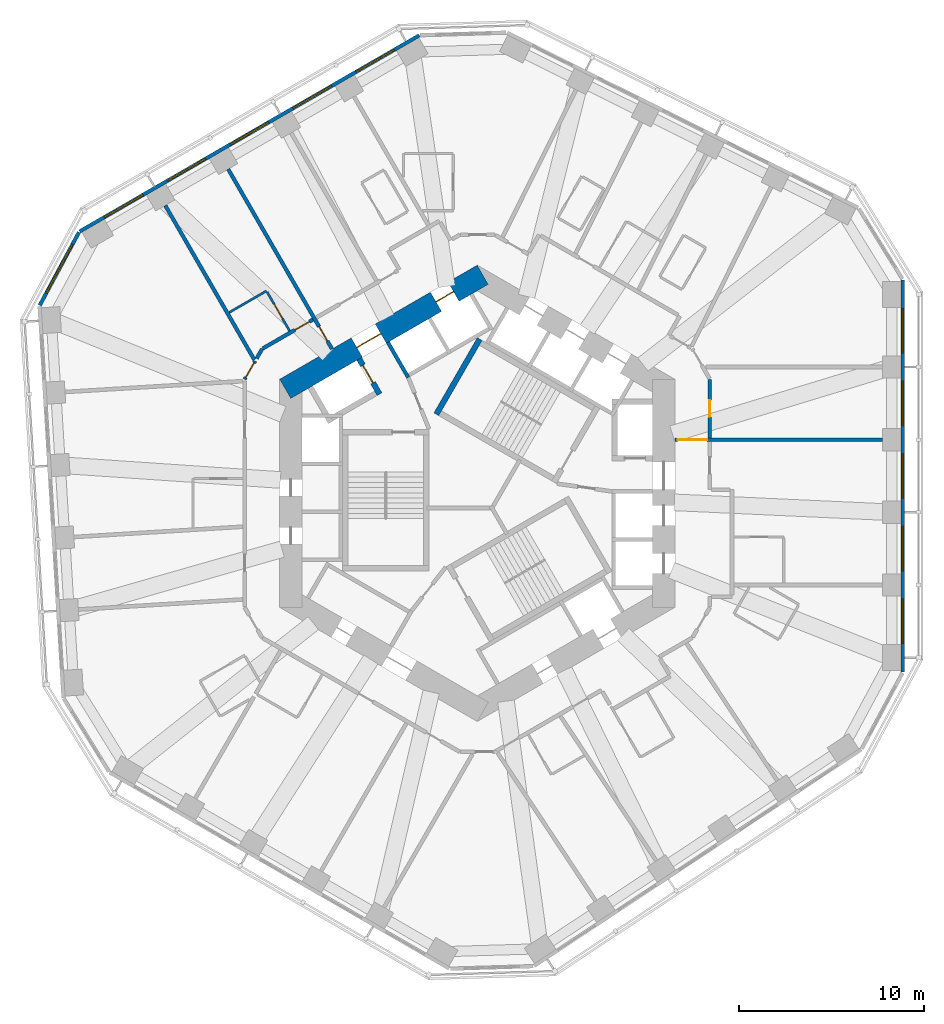
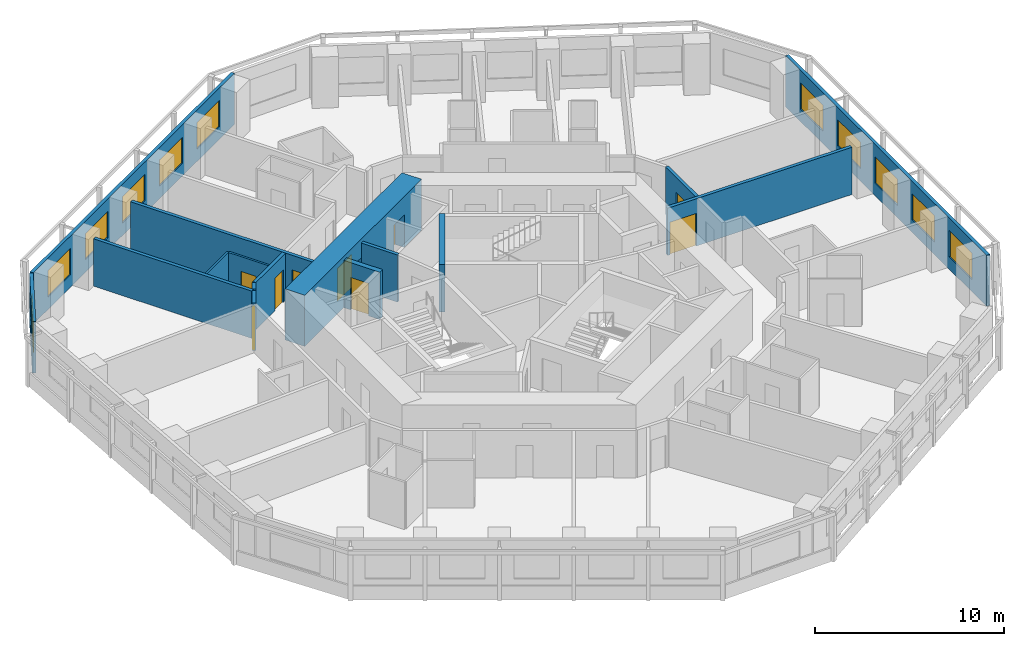
# One storey, part 7 of 12: 16 walls, 11 windows, 9 doors, 20 openings.
"""IFC4 building model written with IfcOpenShell, lengths in metres."""

from ifc_helpers import new_model, si_unit, direction, frame, frame_2d, origin, place, context, subcontext, project, spatial, rectangle, extrude, material, layer, layer_set, type_object, element, fill, save


model = new_model("IFC4")

# Units and contexts
model_context = context("Model", 3, precision=1e-05, world=origin(), true_north=direction((0.0, 1.0)))
body_context = subcontext(model_context, "Body", "Model", "MODEL_VIEW")
ifc_project = project(units=[si_unit("LENGTHUNIT", "METRE"), si_unit("AREAUNIT", "SQUARE_METRE"), si_unit("VOLUMEUNIT", "CUBIC_METRE"), si_unit("PLANEANGLEUNIT", "RADIAN"), si_unit("MASSUNIT", "GRAM", prefix="KILO")], contexts=[model_context])

# Site, building, storey
site_placement = place(None, origin())
site = spatial("IfcSite", under=ifc_project, at=site_placement, CompositionType="ELEMENT")
building_placement = place(site_placement, origin())
building = spatial("IfcBuilding", under=site, at=building_placement, Name="Vanh Sen Convention Tower", CompositionType="ELEMENT")
storey_placement = place(building_placement, frame((0.0, 0.0, 70.39990234375)))
storey = spatial("IfcBuildingStorey", under=building, at=storey_placement, Name="L15", CompositionType="ELEMENT", Elevation=70.39990234375)

# Wall
ifc_material_1 = material(Name="Moisture-resistant gypsum board on steel studs", Category="steel")
ifc_layer_1 = layer(ifc_material_1, 0.1201171875)
ifc_layer_set_1 = layer_set([ifc_layer_1], Name="Moisture-resistant gypsum board on steel studs")
wall_type_1 = type_object("IfcWallType", Name="Bathroom partition 120", PredefinedType="PARTITIONING", material=ifc_layer_set_1)
wall_1_placement = place(storey_placement, frame((-13.436279296875, 9.7939453125, 0.0), z_axis=(0.0, 0.0, 1.0), x_axis=(0.866053246676, 0.499951771596, 0.0)))
element("IfcWall", 1, at=wall_1_placement, inside=storey, type_object=wall_type_1, Name="Bathroom partition 120", PredefinedType="PARTITIONING", context=body_context, shape_type="SweptSolid", body=[
    extrude(rectangle(XDim=2.334716796875, YDim=0.1201171875, at=frame_2d((1.16748046875, 0.0))), origin(), (0.0, 0.0, 1.0), 3.050048828125),
])

# Wall, opening, door
wall_2_placement = place(storey_placement, frame((-11.384521484375, 10.9091796875, 0.0), z_axis=(0.0, 0.0, 1.0), x_axis=(0.500077547548, -0.865980627057, 0.0)))
wall_2 = element("IfcWall", 2, at=wall_2_placement, inside=storey, type_object=wall_type_1, Name="Bathroom partition 120", PredefinedType="PARTITIONING", context=body_context, shape_type="SweptSolid", body=[
    extrude(rectangle(XDim=2.43994140625, YDim=0.1201171875, at=frame_2d((1.219970703125, 0.0))), origin(), (0.0, 0.0, 1.0), 3.050048828125),
])
opening_1_placement = place(wall_2_placement, frame((0.77001953125, 0.0, 0.0)))
opening_1 = element("IfcOpeningElement", 3, at=opening_1_placement, cuts=wall_2, Name="Opening D13117", PredefinedType="OPENING", context=body_context, shape_type="SweptSolid", body=[
    extrude(rectangle(XDim=0.89990234375, YDim=2.10009765625, at=frame_2d((0.449951171875, 1.050048828125))), frame((0.0, 0.070068359375, 0.0), z_axis=(0.0, -1.0, 0.0), x_axis=(1.0, 0.0, 0.0)), (0.0, 0.0, 1.0), 0.14013671875),
])
ifc_material_2 = material(Name="Laminate door in steel frame", Category="steel")
door_type_1 = type_object("IfcDoorType", Name="En-suite door 900", OperationType="SINGLE_SWING_LEFT", PredefinedType="DOOR", material=ifc_material_2)
door_1_placement = place(opening_1_placement, origin())
door_1 = element("IfcDoor", 4, at=door_1_placement, inside=storey, type_object=door_type_1, Name="En-suite door D13117", OperationType="SINGLE_SWING_LEFT", OverallHeight=2.10009765625, OverallWidth=0.89990234375, PredefinedType="DOOR", context=body_context, shape_type="SweptSolid", body=[
    extrude(rectangle(XDim=0.89990234375, YDim=2.10009765625, at=frame_2d((0.449951171875, 1.050048828125))), frame((0.0, 0.02490234375, 0.0), z_axis=(0.0, -1.0, 0.0), x_axis=(1.0, 0.0, 0.0)), (0.0, 0.0, 1.0), 0.050048828125),
])
fill(opening_1, door_1)

# Wall, openings, doors
ifc_material_3 = material(Name="Concrete C80/95", Category="concrete")
ifc_layer_2 = layer(ifc_material_3, 1.199951171875)
ifc_layer_set_2 = layer_set([ifc_layer_2], Name="Concrete C80/95")
wall_type_2 = type_object("IfcWallType", Name="Core outer wall 1200 C80/95", PredefinedType="SHEAR", material=ifc_layer_set_2)
wall_3_placement = place(storey_placement, frame((0.300048828125, 11.835693359375, 0.0), z_axis=(0.0, 0.0, 1.0), x_axis=(-0.866021384402, -0.500006961711, 0.0)))
wall_3 = element("IfcWall", 5, at=wall_3_placement, inside=storey, type_object=wall_type_2, Name="Core wall face NW L15", PredefinedType="SHEAR", context=body_context, shape_type="SweptSolid", body=[
    extrude(rectangle(XDim=12.355224609375, YDim=1.199951171875, at=frame_2d((6.177734375, 0.0))), origin(), (0.0, 0.0, 1.0), 3.300048828125),
])
opening_2_placement = place(wall_3_placement, frame((6.377685546875, 0.0, 0.0)))
opening_2 = element("IfcOpeningElement", 6, at=opening_2_placement, cuts=wall_3, Name="Opening D13002", PredefinedType="OPENING", context=body_context, shape_type="SweptSolid", body=[
    extrude(rectangle(XDim=1.5, YDim=2.10009765625, at=frame_2d((0.75, 1.050048828125))), frame((0.0, 0.60986328125, 0.0), z_axis=(0.0, -1.0, 0.0), x_axis=(1.0, 0.0, 0.0)), (0.0, 0.0, 1.0), 1.219970703125),
])
opening_3_placement = place(wall_3_placement, frame((1.82763671875, 0.0, 0.0)))
opening_3 = element("IfcOpeningElement", 7, at=opening_3_placement, cuts=wall_3, Name="Opening LD-LR6", PredefinedType="OPENING", context=body_context, shape_type="SweptSolid", body=[
    extrude(rectangle(XDim=1.10009765625, YDim=2.10009765625, at=frame_2d((0.550048828125, 1.050048828125))), frame((0.0, 0.60986328125, 0.0), z_axis=(0.0, -1.0, 0.0), x_axis=(1.0, 0.0, 0.0)), (0.0, 0.0, 1.0), 1.219970703125),
])
ifc_material_4 = material(Name="Stainless steel", Category="steel")
door_type_2 = type_object("IfcDoorType", Name="Lift landing door 1100", OperationType="DOUBLE_DOOR_SLIDING", PredefinedType="DOOR", material=ifc_material_4)
door_2_placement = place(opening_3_placement, origin())
door_2 = element("IfcDoor", 8, at=door_2_placement, inside=storey, type_object=door_type_2, Name="Lift LR6 landing door LD-LR6", OperationType="DOUBLE_DOOR_SLIDING", OverallHeight=2.10009765625, OverallWidth=1.10009765625, PredefinedType="DOOR", context=body_context, shape_type="SweptSolid", body=[
    extrude(rectangle(XDim=1.10009765625, YDim=2.10009765625, at=frame_2d((0.550048828125, 1.050048828125))), frame((0.0, 0.02490234375, 0.0), z_axis=(0.0, -1.0, 0.0), x_axis=(1.0, 0.0, 0.0)), (0.0, 0.0, 1.0), 0.050048828125),
])
fill(opening_3, door_2)
ifc_material_5 = material(Name="Steel S355", Category="steel")
door_type_3 = type_object("IfcDoorType", Name="Stair lobby door 1500", OperationType="DOUBLE_DOOR_SINGLE_SWING", PredefinedType="DOOR", material=ifc_material_5)
door_3_placement = place(opening_2_placement, origin())
door_3 = element("IfcDoor", 9, at=door_3_placement, inside=storey, type_object=door_type_3, Name="Stair lobby door D13002", OperationType="DOUBLE_DOOR_SINGLE_SWING", OverallHeight=2.10009765625, OverallWidth=1.5, PredefinedType="DOOR", context=body_context, shape_type="SweptSolid", body=[
    extrude(rectangle(XDim=1.5, YDim=2.10009765625, at=frame_2d((0.75, 1.050048828125))), frame((0.0, 0.02490234375, 0.0), z_axis=(0.0, -1.0, 0.0), x_axis=(1.0, 0.0, 0.0)), (0.0, 0.0, 1.0), 0.050048828125),
])
fill(opening_2, door_3)

# Wall, opening, door
ifc_material_6 = material(Name="Gypsum board on steel studs with mineral wool", Category="steel")
ifc_layer_3 = layer(ifc_material_6, 0.199951171875)
ifc_layer_set_3 = layer_set([ifc_layer_3], Name="Gypsum board on steel studs with mineral wool")
wall_type_3 = type_object("IfcWallType", Name="Corridor partition wall 200", PredefinedType="PARTITIONING", material=ifc_layer_set_3)
wall_4_placement = place(storey_placement, frame((-12.031982421875, 7.16162109375, 0.0), z_axis=(0.0, 0.0, 1.0), x_axis=(-0.499951829968, -0.866053212979, 0.0)))
wall_4 = element("IfcWall", 10, at=wall_4_placement, inside=storey, type_object=wall_type_3, Name="Corridor partition wall 200", PredefinedType="PARTITIONING", context=body_context, shape_type="SweptSolid", body=[
    extrude(rectangle(XDim=1.13623046875, YDim=0.199951171875, at=frame_2d((0.568115234375, 0.0))), origin(), (0.0, 0.0, 1.0), 3.050048828125),
])
opening_4_placement = place(wall_4_placement, frame((0.1181640625, 0.0, 0.0)))
opening_4 = element("IfcOpeningElement", 11, at=opening_4_placement, cuts=wall_4, Name="Opening D13118", PredefinedType="OPENING", context=body_context, shape_type="SweptSolid", body=[
    extrude(rectangle(XDim=0.89990234375, YDim=2.10009765625, at=frame_2d((0.449951171875, 1.050048828125))), frame((0.0, 0.10986328125, 0.0), z_axis=(0.0, -1.0, 0.0), x_axis=(1.0, 0.0, 0.0)), (0.0, 0.0, 1.0), 0.219970703125),
])
ifc_material_7 = material(Name="Timber fire door in steel frame", Category="steel")
door_type_4 = type_object("IfcDoorType", Name="Floor room door 900", OperationType="SINGLE_SWING_LEFT", PredefinedType="DOOR", material=ifc_material_7)
door_4_placement = place(opening_4_placement, origin())
door_4 = element("IfcDoor", 12, at=door_4_placement, inside=storey, type_object=door_type_4, Name="Meeting and amenity room door D13118", OperationType="SINGLE_SWING_LEFT", OverallHeight=2.10009765625, OverallWidth=0.89990234375, PredefinedType="DOOR", context=body_context, shape_type="SweptSolid", body=[
    extrude(rectangle(XDim=0.89990234375, YDim=2.10009765625, at=frame_2d((0.449951171875, 1.050048828125))), frame((0.0, 0.02490234375, 0.0), z_axis=(0.0, -1.0, 0.0), x_axis=(1.0, 0.0, 0.0)), (0.0, 0.0, 1.0), 0.050048828125),
])
fill(opening_4, door_4)

# Wall
wall_5_placement = place(storey_placement, frame((-11.64990234375, 7.822998046875, 0.0), z_axis=(0.0, 0.0, 1.0), x_axis=(-0.50012165622, -0.865955154139, 0.0)))
element("IfcWall", 13, at=wall_5_placement, inside=storey, type_object=wall_type_3, Name="Corridor partition wall 200", PredefinedType="PARTITIONING", context=body_context, shape_type="SweptSolid", body=[
    extrude(rectangle(XDim=0.599853515625, YDim=0.199951171875, at=frame_2d((0.2998046875, 0.0))), origin(), (0.0, 0.0, 1.0), 3.050048828125),
])

# Wall, opening, door
wall_6_placement = place(storey_placement, frame((-8.902099609375, 9.40966796875, 0.0), z_axis=(0.0, 0.0, 1.0), x_axis=(-0.866014299198, -0.500019233215, 0.0)))
wall_6 = element("IfcWall", 14, at=wall_6_placement, inside=storey, type_object=wall_type_3, Name="Corridor partition wall 200", PredefinedType="PARTITIONING", context=body_context, shape_type="SweptSolid", body=[
    extrude(rectangle(XDim=3.13330078125, YDim=0.199951171875, at=frame_2d((1.566650390625, 0.0))), origin(), (0.0, 0.0, 1.0), 3.050048828125),
])
opening_5_placement = place(wall_6_placement, frame((0.22509765625, 0.0, 0.0)))
opening_5 = element("IfcOpeningElement", 15, at=opening_5_placement, cuts=wall_6, Name="Opening D13116", PredefinedType="OPENING", context=body_context, shape_type="SweptSolid", body=[
    extrude(rectangle(XDim=0.89990234375, YDim=2.10009765625, at=frame_2d((0.449951171875, 1.050048828125))), frame((0.0, 0.10986328125, 0.0), z_axis=(0.0, -1.0, 0.0), x_axis=(1.0, 0.0, 0.0)), (0.0, 0.0, 1.0), 0.219970703125),
])
door_type_5 = type_object("IfcDoorType", Name="Guest room door 900", OperationType="SINGLE_SWING_LEFT", PredefinedType="DOOR", material=ifc_material_7)
door_5_placement = place(opening_5_placement, origin())
door_5 = element("IfcDoor", 16, at=door_5_placement, inside=storey, type_object=door_type_5, Name="Hotel guest room door D13116", OperationType="SINGLE_SWING_LEFT", OverallHeight=2.10009765625, OverallWidth=0.89990234375, PredefinedType="DOOR", context=body_context, shape_type="SweptSolid", body=[
    extrude(rectangle(XDim=0.89990234375, YDim=2.10009765625, at=frame_2d((0.449951171875, 1.050048828125))), frame((0.0, 0.02490234375, 0.0), z_axis=(0.0, -1.0, 0.0), x_axis=(1.0, 0.0, 0.0)), (0.0, 0.0, 1.0), 0.050048828125),
])
fill(opening_5, door_5)

wall_7_placement = place(storey_placement, frame((12.60009765625, 3.00439453125, 0.0), z_axis=(0.0, 0.0, 1.0), x_axis=(0.0, 1.0, 0.0)))
wall_7 = element("IfcWall", 17, at=wall_7_placement, inside=storey, type_object=wall_type_3, Name="Corridor partition wall 200", PredefinedType="PARTITIONING", context=body_context, shape_type="SweptSolid", body=[
    extrude(rectangle(XDim=3.173095703125, YDim=0.199951171875, at=frame_2d((1.58642578125, 0.0))), origin(), (0.0, 0.0, 1.0), 3.050048828125),
])
opening_6_placement = place(wall_7_placement, frame((1.136474609375, 0.0, 0.0)))
opening_6 = element("IfcOpeningElement", 18, at=opening_6_placement, cuts=wall_7, Name="Opening D13103", PredefinedType="OPENING", context=body_context, shape_type="SweptSolid", body=[
    extrude(rectangle(XDim=0.89990234375, YDim=2.10009765625, at=frame_2d((0.449951171875, 1.050048828125))), frame((0.0, 0.10986328125, 0.0), z_axis=(0.0, -1.0, 0.0), x_axis=(1.0, 0.0, 0.0)), (0.0, 0.0, 1.0), 0.219970703125),
])
door_type_6 = type_object("IfcDoorType", Name="Floor service door 900", OperationType="SINGLE_SWING_LEFT", PredefinedType="DOOR", material=ifc_material_7)
door_6_placement = place(opening_6_placement, origin())
door_6 = element("IfcDoor", 19, at=door_6_placement, inside=storey, type_object=door_type_6, Name="Service room door D13103", OperationType="SINGLE_SWING_LEFT", OverallHeight=2.10009765625, OverallWidth=0.89990234375, PredefinedType="DOOR", context=body_context, shape_type="SweptSolid", body=[
    extrude(rectangle(XDim=0.89990234375, YDim=2.10009765625, at=frame_2d((0.449951171875, 1.050048828125))), frame((0.0, 0.02490234375, 0.0), z_axis=(0.0, -1.0, 0.0), x_axis=(1.0, 0.0, 0.0)), (0.0, 0.0, 1.0), 0.050048828125),
])
fill(opening_6, door_6)

# Wall, openings, windows
ifc_material_8 = material(Name="Insulated lightweight infill wall")
ifc_layer_4 = layer(ifc_material_8, 0.199951171875)
ifc_layer_set_4 = layer_set([ifc_layer_4], Name="Insulated lightweight infill wall")
wall_type_4 = type_object("IfcWallType", Name="External wall 200", PredefinedType="STANDARD", material=ifc_layer_set_4)
wall_8_placement = place(storey_placement, frame((23.050048828125, -9.6865234375, 0.0), z_axis=(0.0, 0.0, 1.0), x_axis=(0.0, 1.0, 0.0)))
wall_8 = element("IfcWall", 20, at=wall_8_placement, inside=storey, type_object=wall_type_4, Name="External wall E L15", PredefinedType="STANDARD", context=body_context, shape_type="SweptSolid", body=[
    extrude(rectangle(XDim=21.24609375, YDim=0.199951171875, at=frame_2d((10.623046875, 0.0))), origin(), (0.0, 0.0, 1.0), 3.300048828125),
])
opening_7_placement = place(wall_8_placement, frame((1.5546875, 0.0, 0.800048828125)))
opening_7 = element("IfcOpeningElement", 21, at=opening_7_placement, cuts=wall_8, Name="Opening WH1-E1", PredefinedType="OPENING", context=body_context, shape_type="SweptSolid", body=[
    extrude(rectangle(XDim=2.39990234375, YDim=1.699951171875, at=frame_2d((1.199951171875, 0.85009765625))), frame((0.0, 0.10986328125, 0.0), z_axis=(0.0, -1.0, 0.0), x_axis=(1.0, 0.0, 0.0)), (0.0, 0.0, 1.0), 0.219970703125),
])
opening_8_placement = place(wall_8_placement, frame((5.4892578125, 0.0, 0.800048828125)))
opening_8 = element("IfcOpeningElement", 22, at=opening_8_placement, cuts=wall_8, Name="Opening WH1-E2", PredefinedType="OPENING", context=body_context, shape_type="SweptSolid", body=[
    extrude(rectangle(XDim=2.39990234375, YDim=1.699951171875, at=frame_2d((1.199951171875, 0.85009765625))), frame((0.0, 0.10986328125, 0.0), z_axis=(0.0, -1.0, 0.0), x_axis=(1.0, 0.0, 0.0)), (0.0, 0.0, 1.0), 0.219970703125),
])
opening_9_placement = place(wall_8_placement, frame((9.423828125, 0.0, 0.800048828125)))
opening_9 = element("IfcOpeningElement", 23, at=opening_9_placement, cuts=wall_8, Name="Opening WH1-E3", PredefinedType="OPENING", context=body_context, shape_type="SweptSolid", body=[
    extrude(rectangle(XDim=2.39990234375, YDim=1.699951171875, at=frame_2d((1.199951171875, 0.85009765625))), frame((0.0, 0.10986328125, 0.0), z_axis=(0.0, -1.0, 0.0), x_axis=(1.0, 0.0, 0.0)), (0.0, 0.0, 1.0), 0.219970703125),
])
opening_10_placement = place(wall_8_placement, frame((13.3583984375, 0.0, 0.800048828125)))
opening_10 = element("IfcOpeningElement", 24, at=opening_10_placement, cuts=wall_8, Name="Opening WH1-E4", PredefinedType="OPENING", context=body_context, shape_type="SweptSolid", body=[
    extrude(rectangle(XDim=2.39990234375, YDim=1.699951171875, at=frame_2d((1.199951171875, 0.85009765625))), frame((0.0, 0.10986328125, 0.0), z_axis=(0.0, -1.0, 0.0), x_axis=(1.0, 0.0, 0.0)), (0.0, 0.0, 1.0), 0.219970703125),
])
opening_11_placement = place(wall_8_placement, frame((17.29296875, 0.0, 0.800048828125)))
opening_11 = element("IfcOpeningElement", 25, at=opening_11_placement, cuts=wall_8, Name="Opening WH1-E5", PredefinedType="OPENING", context=body_context, shape_type="SweptSolid", body=[
    extrude(rectangle(XDim=2.39990234375, YDim=1.699951171875, at=frame_2d((1.199951171875, 0.85009765625))), frame((0.0, 0.10986328125, 0.0), z_axis=(0.0, -1.0, 0.0), x_axis=(1.0, 0.0, 0.0)), (0.0, 0.0, 1.0), 0.219970703125),
])
ifc_material_9 = material(Name="Aluminium frame with clear low-emissivity glass", Category="aluminium")
window_type_1 = type_object("IfcWindowType", Name="Hotel window 2400 x 1700", PartitioningType="SINGLE_PANEL", PredefinedType="WINDOW", material=ifc_material_9)
window_1_placement = place(opening_7_placement, origin())
window_1 = element("IfcWindow", 26, at=window_1_placement, inside=storey, type_object=window_type_1, Name="Window WH1-E1", OverallHeight=1.699951171875, OverallWidth=2.39990234375, PartitioningType="SINGLE_PANEL", PredefinedType="WINDOW", context=body_context, shape_type="SweptSolid", body=[
    extrude(rectangle(XDim=2.39990234375, YDim=1.699951171875, at=frame_2d((1.199951171875, 0.85009765625))), frame((0.0, 0.030029296875, 0.0), z_axis=(0.0, -1.0, 0.0), x_axis=(1.0, 0.0, 0.0)), (0.0, 0.0, 1.0), 0.06005859375),
])
fill(opening_7, window_1)
window_2_placement = place(opening_8_placement, origin())
window_2 = element("IfcWindow", 27, at=window_2_placement, inside=storey, type_object=window_type_1, Name="Window WH1-E2", OverallHeight=1.699951171875, OverallWidth=2.39990234375, PartitioningType="SINGLE_PANEL", PredefinedType="WINDOW", context=body_context, shape_type="SweptSolid", body=[
    extrude(rectangle(XDim=2.39990234375, YDim=1.699951171875, at=frame_2d((1.199951171875, 0.85009765625))), frame((0.0, 0.030029296875, 0.0), z_axis=(0.0, -1.0, 0.0), x_axis=(1.0, 0.0, 0.0)), (0.0, 0.0, 1.0), 0.06005859375),
])
fill(opening_8, window_2)
window_3_placement = place(opening_9_placement, origin())
window_3 = element("IfcWindow", 28, at=window_3_placement, inside=storey, type_object=window_type_1, Name="Window WH1-E3", OverallHeight=1.699951171875, OverallWidth=2.39990234375, PartitioningType="SINGLE_PANEL", PredefinedType="WINDOW", context=body_context, shape_type="SweptSolid", body=[
    extrude(rectangle(XDim=2.39990234375, YDim=1.699951171875, at=frame_2d((1.199951171875, 0.85009765625))), frame((0.0, 0.030029296875, 0.0), z_axis=(0.0, -1.0, 0.0), x_axis=(1.0, 0.0, 0.0)), (0.0, 0.0, 1.0), 0.06005859375),
])
fill(opening_9, window_3)
window_4_placement = place(opening_10_placement, origin())
window_4 = element("IfcWindow", 29, at=window_4_placement, inside=storey, type_object=window_type_1, Name="Window WH1-E4", OverallHeight=1.699951171875, OverallWidth=2.39990234375, PartitioningType="SINGLE_PANEL", PredefinedType="WINDOW", context=body_context, shape_type="SweptSolid", body=[
    extrude(rectangle(XDim=2.39990234375, YDim=1.699951171875, at=frame_2d((1.199951171875, 0.85009765625))), frame((0.0, 0.030029296875, 0.0), z_axis=(0.0, -1.0, 0.0), x_axis=(1.0, 0.0, 0.0)), (0.0, 0.0, 1.0), 0.06005859375),
])
fill(opening_10, window_4)
window_5_placement = place(opening_11_placement, origin())
window_5 = element("IfcWindow", 30, at=window_5_placement, inside=storey, type_object=window_type_1, Name="Window WH1-E5", OverallHeight=1.699951171875, OverallWidth=2.39990234375, PartitioningType="SINGLE_PANEL", PredefinedType="WINDOW", context=body_context, shape_type="SweptSolid", body=[
    extrude(rectangle(XDim=2.39990234375, YDim=1.699951171875, at=frame_2d((1.199951171875, 0.85009765625))), frame((0.0, 0.030029296875, 0.0), z_axis=(0.0, -1.0, 0.0), x_axis=(1.0, 0.0, 0.0)), (0.0, 0.0, 1.0), 0.06005859375),
])
fill(opening_11, window_5)

wall_9_placement = place(storey_placement, frame((-3.135986328125, 24.80517578125, 0.0), z_axis=(0.0, 0.0, 1.0), x_axis=(-0.866028291626, -0.499994998079, 0.0)))
wall_9 = element("IfcWall", 31, at=wall_9_placement, inside=storey, type_object=wall_type_4, Name="External wall NW L15", PredefinedType="STANDARD", context=body_context, shape_type="SweptSolid", body=[
    extrude(rectangle(XDim=21.246337890625, YDim=0.199951171875, at=frame_2d((10.623046875, 0.0))), origin(), (0.0, 0.0, 1.0), 3.300048828125),
])
opening_12_placement = place(wall_9_placement, frame((1.5546875, 0.0, 0.800048828125)))
opening_12 = element("IfcOpeningElement", 32, at=opening_12_placement, cuts=wall_9, Name="Opening WH1-NW1", PredefinedType="OPENING", context=body_context, shape_type="SweptSolid", body=[
    extrude(rectangle(XDim=2.39990234375, YDim=1.699951171875, at=frame_2d((1.199951171875, 0.85009765625))), frame((0.0, 0.10986328125, 0.0), z_axis=(0.0, -1.0, 0.0), x_axis=(1.0, 0.0, 0.0)), (0.0, 0.0, 1.0), 0.219970703125),
])
opening_13_placement = place(wall_9_placement, frame((5.4892578125, 0.0, 0.800048828125)))
opening_13 = element("IfcOpeningElement", 33, at=opening_13_placement, cuts=wall_9, Name="Opening WH1-NW2", PredefinedType="OPENING", context=body_context, shape_type="SweptSolid", body=[
    extrude(rectangle(XDim=2.39990234375, YDim=1.699951171875, at=frame_2d((1.199951171875, 0.85009765625))), frame((0.0, 0.10986328125, 0.0), z_axis=(0.0, -1.0, 0.0), x_axis=(1.0, 0.0, 0.0)), (0.0, 0.0, 1.0), 0.219970703125),
])
opening_14_placement = place(wall_9_placement, frame((9.423828125, 0.0, 0.800048828125)))
opening_14 = element("IfcOpeningElement", 34, at=opening_14_placement, cuts=wall_9, Name="Opening WH1-NW3", PredefinedType="OPENING", context=body_context, shape_type="SweptSolid", body=[
    extrude(rectangle(XDim=2.39990234375, YDim=1.699951171875, at=frame_2d((1.199951171875, 0.85009765625))), frame((0.0, 0.10986328125, 0.0), z_axis=(0.0, -1.0, 0.0), x_axis=(1.0, 0.0, 0.0)), (0.0, 0.0, 1.0), 0.219970703125),
])
opening_15_placement = place(wall_9_placement, frame((13.3583984375, 0.0, 0.800048828125)))
opening_15 = element("IfcOpeningElement", 35, at=opening_15_placement, cuts=wall_9, Name="Opening WH1-NW4", PredefinedType="OPENING", context=body_context, shape_type="SweptSolid", body=[
    extrude(rectangle(XDim=2.39990234375, YDim=1.699951171875, at=frame_2d((1.199951171875, 0.85009765625))), frame((0.0, 0.10986328125, 0.0), z_axis=(0.0, -1.0, 0.0), x_axis=(1.0, 0.0, 0.0)), (0.0, 0.0, 1.0), 0.219970703125),
])
opening_16_placement = place(wall_9_placement, frame((17.293212890625, 0.0, 0.800048828125)))
opening_16 = element("IfcOpeningElement", 36, at=opening_16_placement, cuts=wall_9, Name="Opening WH1-NW5", PredefinedType="OPENING", context=body_context, shape_type="SweptSolid", body=[
    extrude(rectangle(XDim=2.39990234375, YDim=1.699951171875, at=frame_2d((1.199951171875, 0.85009765625))), frame((0.0, 0.10986328125, 0.0), z_axis=(0.0, -1.0, 0.0), x_axis=(1.0, 0.0, 0.0)), (0.0, 0.0, 1.0), 0.219970703125),
])
window_6_placement = place(opening_12_placement, origin())
window_6 = element("IfcWindow", 37, at=window_6_placement, inside=storey, type_object=window_type_1, Name="Window WH1-NW1", OverallHeight=1.699951171875, OverallWidth=2.39990234375, PartitioningType="SINGLE_PANEL", PredefinedType="WINDOW", context=body_context, shape_type="SweptSolid", body=[
    extrude(rectangle(XDim=2.39990234375, YDim=1.699951171875, at=frame_2d((1.199951171875, 0.85009765625))), frame((0.0, 0.030029296875, 0.0), z_axis=(0.0, -1.0, 0.0), x_axis=(1.0, 0.0, 0.0)), (0.0, 0.0, 1.0), 0.06005859375),
])
fill(opening_12, window_6)
window_7_placement = place(opening_13_placement, origin())
window_7 = element("IfcWindow", 38, at=window_7_placement, inside=storey, type_object=window_type_1, Name="Window WH1-NW2", OverallHeight=1.699951171875, OverallWidth=2.39990234375, PartitioningType="SINGLE_PANEL", PredefinedType="WINDOW", context=body_context, shape_type="SweptSolid", body=[
    extrude(rectangle(XDim=2.39990234375, YDim=1.699951171875, at=frame_2d((1.199951171875, 0.85009765625))), frame((0.0, 0.030029296875, 0.0), z_axis=(0.0, -1.0, 0.0), x_axis=(1.0, 0.0, 0.0)), (0.0, 0.0, 1.0), 0.06005859375),
])
fill(opening_13, window_7)
window_8_placement = place(opening_14_placement, origin())
window_8 = element("IfcWindow", 39, at=window_8_placement, inside=storey, type_object=window_type_1, Name="Window WH1-NW3", OverallHeight=1.699951171875, OverallWidth=2.39990234375, PartitioningType="SINGLE_PANEL", PredefinedType="WINDOW", context=body_context, shape_type="SweptSolid", body=[
    extrude(rectangle(XDim=2.39990234375, YDim=1.699951171875, at=frame_2d((1.199951171875, 0.85009765625))), frame((0.0, 0.030029296875, 0.0), z_axis=(0.0, -1.0, 0.0), x_axis=(1.0, 0.0, 0.0)), (0.0, 0.0, 1.0), 0.06005859375),
])
fill(opening_14, window_8)
window_9_placement = place(opening_15_placement, origin())
window_9 = element("IfcWindow", 40, at=window_9_placement, inside=storey, type_object=window_type_1, Name="Window WH1-NW4", OverallHeight=1.699951171875, OverallWidth=2.39990234375, PartitioningType="SINGLE_PANEL", PredefinedType="WINDOW", context=body_context, shape_type="SweptSolid", body=[
    extrude(rectangle(XDim=2.39990234375, YDim=1.699951171875, at=frame_2d((1.199951171875, 0.85009765625))), frame((0.0, 0.030029296875, 0.0), z_axis=(0.0, -1.0, 0.0), x_axis=(1.0, 0.0, 0.0)), (0.0, 0.0, 1.0), 0.06005859375),
])
fill(opening_15, window_9)
window_10_placement = place(opening_16_placement, origin())
window_10 = element("IfcWindow", 41, at=window_10_placement, inside=storey, type_object=window_type_1, Name="Window WH1-NW5", OverallHeight=1.699951171875, OverallWidth=2.39990234375, PartitioningType="SINGLE_PANEL", PredefinedType="WINDOW", context=body_context, shape_type="SweptSolid", body=[
    extrude(rectangle(XDim=2.39990234375, YDim=1.699951171875, at=frame_2d((1.199951171875, 0.85009765625))), frame((0.0, 0.030029296875, 0.0), z_axis=(0.0, -1.0, 0.0), x_axis=(1.0, 0.0, 0.0)), (0.0, 0.0, 1.0), 0.06005859375),
])
fill(opening_16, window_10)

# Wall, opening, window
wall_10_placement = place(storey_placement, frame((-21.573974609375, 14.142822265625, 0.0), z_axis=(0.0, 0.0, 1.0), x_axis=(-0.473292949472, -0.880905093628, 0.0)))
wall_10 = element("IfcWall", 42, at=wall_10_placement, inside=storey, type_object=wall_type_4, Name="External wall CH3 L15", PredefinedType="STANDARD", context=body_context, shape_type="SweptSolid", body=[
    extrude(rectangle(XDim=4.493896484375, YDim=0.199951171875, at=frame_2d((2.2470703125, 0.0))), origin(), (0.0, 0.0, 1.0), 3.300048828125),
])
opening_17_placement = place(wall_10_placement, frame((0.746826171875, 0.0, 0.800048828125)))
opening_17 = element("IfcOpeningElement", 43, at=opening_17_placement, cuts=wall_10, Name="Opening WH2-CH31", PredefinedType="OPENING", context=body_context, shape_type="SweptSolid", body=[
    extrude(rectangle(XDim=3.0, YDim=1.699951171875, at=frame_2d((1.5, 0.85009765625))), frame((0.0, 0.10986328125, 0.0), z_axis=(0.0, -1.0, 0.0), x_axis=(1.0, 0.0, 0.0)), (0.0, 0.0, 1.0), 0.219970703125),
])
window_type_2 = type_object("IfcWindowType", Name="Hotel window 3000 x 1700", PartitioningType="SINGLE_PANEL", PredefinedType="WINDOW", material=ifc_material_9)
window_11_placement = place(opening_17_placement, origin())
window_11 = element("IfcWindow", 44, at=window_11_placement, inside=storey, type_object=window_type_2, Name="Window WH2-CH31", OverallHeight=1.699951171875, OverallWidth=3.0, PartitioningType="SINGLE_PANEL", PredefinedType="WINDOW", context=body_context, shape_type="SweptSolid", body=[
    extrude(rectangle(XDim=3.0, YDim=1.699951171875, at=frame_2d((1.5, 0.85009765625))), frame((0.0, 0.030029296875, 0.0), z_axis=(0.0, -1.0, 0.0), x_axis=(1.0, 0.0, 0.0)), (0.0, 0.0, 1.0), 0.06005859375),
])
fill(opening_17, window_11)

# Wall, opening, door
ifc_material_10 = material(Name="Concrete C60/75", Category="concrete")
ifc_layer_5 = layer(ifc_material_10, 0.300048828125)
ifc_layer_set_5 = layer_set([ifc_layer_5], Name="Concrete C60/75")
wall_type_5 = type_object("IfcWallType", Name="Fire-fighting lift shaft wall 300", PredefinedType="SHEAR", material=ifc_layer_set_5)
wall_11_placement = place(storey_placement, frame((-5.29541015625, 5.3720703125, 0.0), z_axis=(0.0, 0.0, 1.0), x_axis=(-0.500077893725, 0.86598042715, 0.0)))
wall_11 = element("IfcWall", 45, at=wall_11_placement, inside=storey, type_object=wall_type_5, Name="Fire-fighting lift shaft wall L15", PredefinedType="SHEAR", context=body_context, shape_type="SweptSolid", body=[
    extrude(rectangle(XDim=2.199951171875, YDim=0.300048828125, at=frame_2d((1.10009765625, 0.0))), origin(), (0.0, 0.0, 1.0), 3.050048828125),
])
opening_18_placement = place(wall_11_placement, frame((0.699951171875, 0.0, 0.0)))
opening_18 = element("IfcOpeningElement", 46, at=opening_18_placement, cuts=wall_11, Name="Opening LD-FF2", PredefinedType="OPENING", context=body_context, shape_type="SweptSolid", body=[
    extrude(rectangle(XDim=1.10009765625, YDim=2.10009765625, at=frame_2d((0.550048828125, 1.050048828125))), frame((0.0, 0.159912109375, 0.0), z_axis=(0.0, -1.0, 0.0), x_axis=(1.0, 0.0, 0.0)), (0.0, 0.0, 1.0), 0.320068359375),
])
door_type_7 = type_object("IfcDoorType", Name="Fire-fighting lift landing door 1100", OperationType="DOUBLE_DOOR_SLIDING", PredefinedType="DOOR", material=ifc_material_4)
door_7_placement = place(opening_18_placement, origin())
door_7 = element("IfcDoor", 47, at=door_7_placement, inside=storey, type_object=door_type_7, Name="Lift FF2 landing door LD-FF2", OperationType="DOUBLE_DOOR_SLIDING", OverallHeight=2.10009765625, OverallWidth=1.10009765625, PredefinedType="DOOR", context=body_context, shape_type="SweptSolid", body=[
    extrude(rectangle(XDim=1.10009765625, YDim=2.10009765625, at=frame_2d((0.550048828125, 1.050048828125))), frame((0.0, 0.02490234375, 0.0), z_axis=(0.0, -1.0, 0.0), x_axis=(1.0, 0.0, 0.0)), (0.0, 0.0, 1.0), 0.050048828125),
])
fill(opening_18, door_7)

# Walls
ifc_layer_6 = layer(ifc_material_6, 0.199951171875)
ifc_layer_set_6 = layer_set([ifc_layer_6], Name="Gypsum board on steel studs with mineral wool")
wall_type_6 = type_object("IfcWallType", Name="Hotel party wall 200", PredefinedType="PARTITIONING", material=ifc_layer_set_6)
wall_12_placement = place(storey_placement, frame((-16.89794921875, 15.589599609375, 0.0), z_axis=(0.0, 0.0, 1.0), x_axis=(0.499994742786, -0.866028439017, 0.0)))
element("IfcWall", 48, at=wall_12_placement, inside=storey, type_object=wall_type_6, Name="Hotel party wall 200", PredefinedType="PARTITIONING", context=body_context, shape_type="SweptSolid", body=[
    extrude(rectangle(XDim=9.64990234375, YDim=0.199951171875, at=frame_2d((4.824951171875, 0.0))), origin(), (0.0, 0.0, 1.0), 3.050048828125),
])
ifc_material_11 = material(Name="Concrete C40/50", Category="concrete")
ifc_layer_7 = layer(ifc_material_11, 0.199951171875)
ifc_layer_set_7 = layer_set([ifc_layer_7], Name="Concrete C40/50")
wall_type_7 = type_object("IfcWallType", Name="Lift shaft wall 200", PredefinedType="PARTITIONING", material=ifc_layer_set_7)
wall_13_placement = place(storey_placement, frame((-3.736572265625, 6.27197265625, 0.0), z_axis=(0.0, 0.0, 1.0), x_axis=(-0.50002983664, 0.866008176907, 0.0)))
element("IfcWall", 49, at=wall_13_placement, inside=storey, type_object=wall_type_7, Name="Lift shaft wall L15", PredefinedType="PARTITIONING", context=body_context, shape_type="SweptSolid", body=[
    extrude(rectangle(XDim=2.199951171875, YDim=0.199951171875, at=frame_2d((1.10009765625, 0.0))), origin(), (0.0, 0.0, 1.0), 3.050048828125),
])
ifc_layer_8 = layer(ifc_material_10, 0.300048828125)
ifc_layer_set_8 = layer_set([ifc_layer_8], Name="Concrete C60/75")
wall_type_8 = type_object("IfcWallType", Name="Stair wall 300", PredefinedType="SHEAR", material=ifc_layer_set_8)
wall_14_placement = place(storey_placement, frame((-2.216064453125, 4.28173828125, 0.0), z_axis=(0.0, 0.0, 1.0), x_axis=(0.499977259774, 0.866038532462, 0.0)))
element("IfcWall", 50, at=wall_14_placement, inside=storey, type_object=wall_type_8, Name="Stair wall L15", PredefinedType="SHEAR", context=body_context, shape_type="SweptSolid", body=[
    extrude(rectangle(XDim=4.699951171875, YDim=0.300048828125, at=frame_2d((2.35009765625, 0.0))), origin(), (0.0, 0.0, 1.0), 3.050048828125),
])

# Wall, opening, door
ifc_material_12 = material(Name="Concrete C20/25", Category="concrete")
ifc_layer_9 = layer(ifc_material_12, 0.199951171875)
ifc_layer_set_9 = layer_set([ifc_layer_9], Name="Concrete C20/25")
wall_type_9 = type_object("IfcWallType", Name="Sub-compartment wall 200", PredefinedType="PARTITIONING", material=ifc_layer_set_9)
wall_15_placement = place(storey_placement, frame((-7.865478515625, 7.814208984375, 0.0), z_axis=(0.0, 0.0, 1.0), x_axis=(-0.500004234368, 0.866022959057, 0.0)))
wall_15 = element("IfcWall", 51, at=wall_15_placement, inside=storey, type_object=wall_type_9, Name="Sub-compartment wall 200", PredefinedType="PARTITIONING", context=body_context, shape_type="SweptSolid", body=[
    extrude(rectangle(XDim=11.25, YDim=0.199951171875, at=frame_2d((5.625, 0.0))), origin(), (0.0, 0.0, 1.0), 3.050048828125),
])
opening_19_placement = place(wall_15_placement, frame((0.5, 0.0, 0.0)))
opening_19 = element("IfcOpeningElement", 52, at=opening_19_placement, cuts=wall_15, Name="Opening D13134", PredefinedType="OPENING", context=body_context, shape_type="SweptSolid", body=[
    extrude(rectangle(XDim=0.89990234375, YDim=2.10009765625, at=frame_2d((0.449951171875, 1.050048828125))), frame((0.0, 0.10986328125, 0.0), z_axis=(0.0, -1.0, 0.0), x_axis=(1.0, 0.0, 0.0)), (0.0, 0.0, 1.0), 0.219970703125),
])
ifc_material_13 = material(Name="Steel S355", Category="steel")
door_type_8 = type_object("IfcDoorType", Name="Corridor fire door 900", OperationType="SINGLE_SWING_LEFT", PredefinedType="DOOR", material=ifc_material_13)
door_8_placement = place(opening_19_placement, origin())
door_8 = element("IfcDoor", 53, at=door_8_placement, inside=storey, type_object=door_type_8, Name="Sub-compartment door D13134", OperationType="SINGLE_SWING_LEFT", OverallHeight=2.10009765625, OverallWidth=0.89990234375, PredefinedType="DOOR", context=body_context, shape_type="SweptSolid", body=[
    extrude(rectangle(XDim=0.89990234375, YDim=2.10009765625, at=frame_2d((0.449951171875, 1.050048828125))), frame((0.0, 0.02490234375, 0.0), z_axis=(0.0, -1.0, 0.0), x_axis=(1.0, 0.0, 0.0)), (0.0, 0.0, 1.0), 0.050048828125),
])
fill(opening_19, door_8)

wall_16_placement = place(storey_placement, frame((21.949951171875, 2.904541015625, 0.0), z_axis=(0.0, 0.0, 1.0), x_axis=(-1.0, 0.0, 0.0)))
wall_16 = element("IfcWall", 54, at=wall_16_placement, inside=storey, type_object=wall_type_9, Name="Sub-compartment wall 200", PredefinedType="PARTITIONING", context=body_context, shape_type="SweptSolid", body=[
    extrude(rectangle(XDim=11.25, YDim=0.199951171875, at=frame_2d((5.625, 0.0))), origin(), (0.0, 0.0, 1.0), 3.050048828125),
])
opening_20_placement = place(wall_16_placement, frame((9.5, 0.0, 0.0)))
opening_20 = element("IfcOpeningElement", 55, at=opening_20_placement, cuts=wall_16, Name="Opening D13135", PredefinedType="OPENING", context=body_context, shape_type="SweptSolid", body=[
    extrude(rectangle(XDim=1.60009765625, YDim=2.10009765625, at=frame_2d((0.800048828125, 1.050048828125))), frame((0.0, 0.10986328125, 0.0), z_axis=(0.0, -1.0, 0.0), x_axis=(1.0, 0.0, 0.0)), (0.0, 0.0, 1.0), 0.219970703125),
])
door_type_9 = type_object("IfcDoorType", Name="Corridor fire door 1600", OperationType="DOUBLE_DOOR_SINGLE_SWING", PredefinedType="DOOR", material=ifc_material_13)
door_9_placement = place(opening_20_placement, origin())
door_9 = element("IfcDoor", 56, at=door_9_placement, inside=storey, type_object=door_type_9, Name="Sub-compartment door D13135", OperationType="DOUBLE_DOOR_SINGLE_SWING", OverallHeight=2.10009765625, OverallWidth=1.60009765625, PredefinedType="DOOR", context=body_context, shape_type="SweptSolid", body=[
    extrude(rectangle(XDim=1.60009765625, YDim=2.10009765625, at=frame_2d((0.800048828125, 1.050048828125))), frame((0.0, 0.02490234375, 0.0), z_axis=(0.0, -1.0, 0.0), x_axis=(1.0, 0.0, 0.0)), (0.0, 0.0, 1.0), 0.050048828125),
])
fill(opening_20, door_9)

save(model, "model.ifc")
